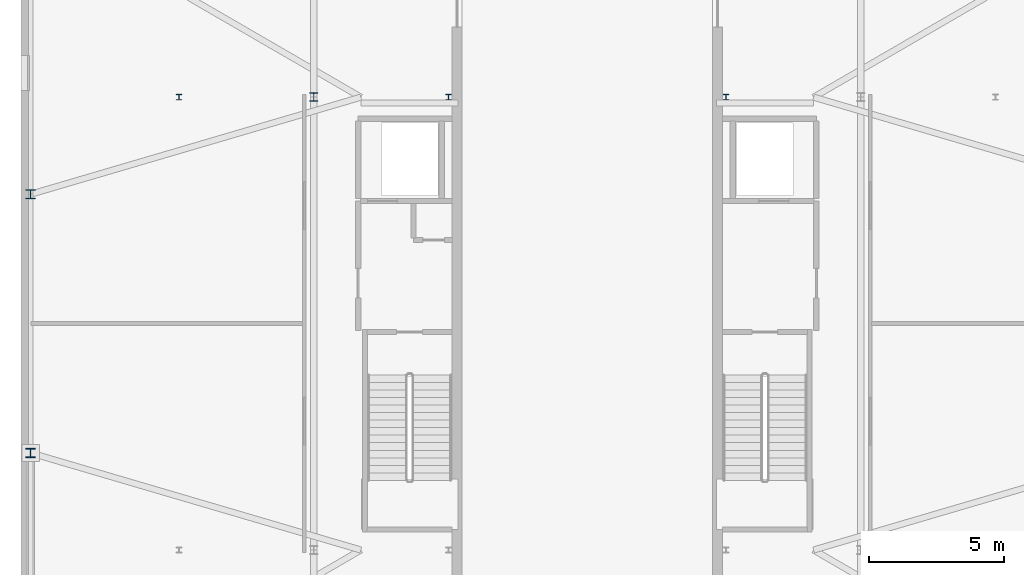
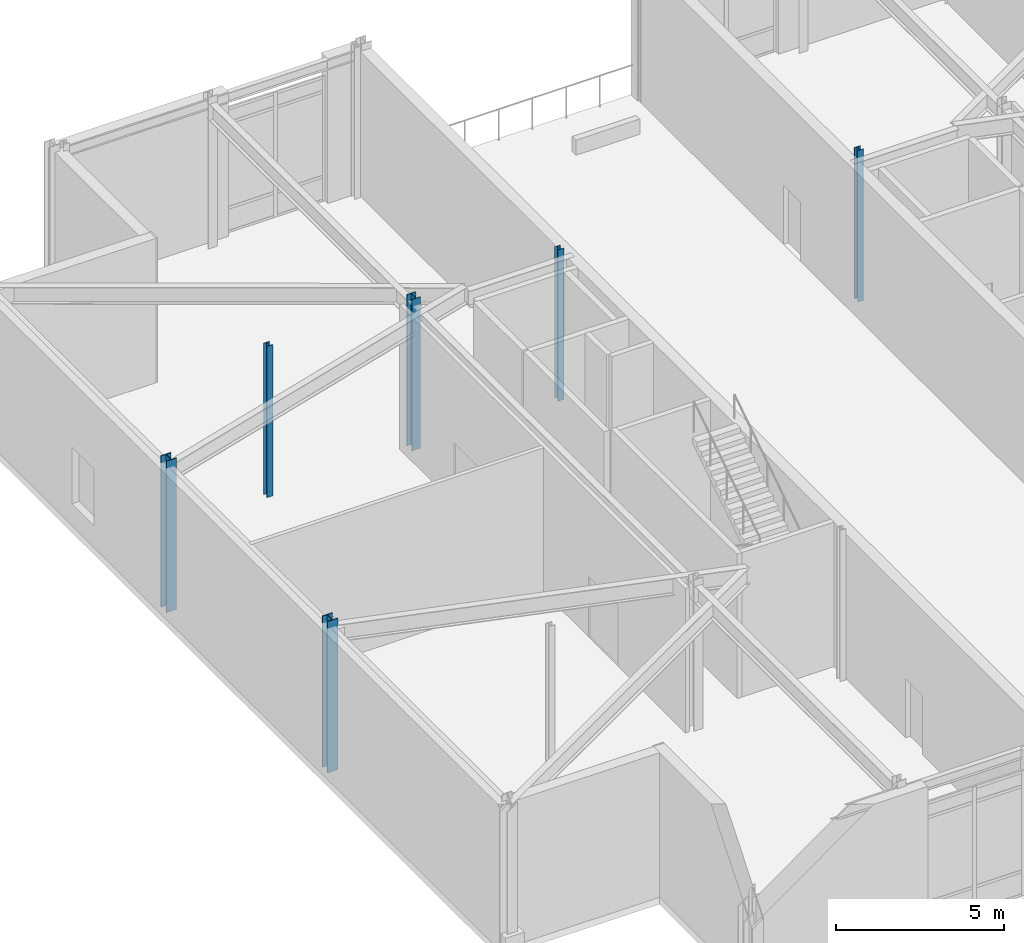
# One storey, part 3 of 16: 6 columns.
"""IFC4 building model written with IfcOpenShell, lengths in metres."""

from ifc_helpers import new_model, si_unit, direction, frame, origin, origin_2d, place, context, subcontext, project, spatial, i_section, extrude, material, material_profile, profile_set, type_object, element, save


model = new_model("IFC4")

# Units and contexts
model_context = context("Model", 3, precision=1e-05, world=origin(), true_north=direction((0.0, 1.0)))
body_context = subcontext(model_context, "Body", "Model", "MODEL_VIEW")
ifc_project = project(units=[si_unit("LENGTHUNIT", "METRE"), si_unit("AREAUNIT", "SQUARE_METRE"), si_unit("VOLUMEUNIT", "CUBIC_METRE"), si_unit("PLANEANGLEUNIT", "RADIAN"), si_unit("MASSUNIT", "GRAM", prefix="KILO")], contexts=[model_context])

# Site, building, storey
site_placement = place(None, origin())
site = spatial("IfcSite", under=ifc_project, at=site_placement, CompositionType="ELEMENT")
building_placement = place(site_placement, origin())
building = spatial("IfcBuilding", under=site, at=building_placement, Name="Cairnveth Concourse Tower", CompositionType="ELEMENT")
storey_placement = place(building_placement, frame((0.0, 0.0, 324.5)))
storey = spatial("IfcBuildingStorey", under=building, at=storey_placement, Name="L89", CompositionType="ELEMENT", Elevation=324.5)

# Columns
ifc_material = material(Name="Steel Grade 350", Category="steel")
ifc_material_profile_1 = material_profile(ifc_material, i_section(OverallWidth=0.202880859375, OverallDepth=0.202880859375, WebThickness=0.00927734375, FlangeThickness=0.01416015625, FilletRadius=0.010009765625, at=origin_2d()), Name="200UC59.5")
ifc_profile_set_1 = profile_set([ifc_material_profile_1], Name="Steel Grade 350")
column_type_1 = type_object("IfcColumnType", Name="PILASTER STEEL COLUMN 200UC59.5", PredefinedType="PILASTER", material=ifc_profile_set_1)
for number, where, z_axis, x_axis, name in (
    (1, (36.85009765625, 47.39990234375, 0.0), (0.0, 0.0, 1.0), (1.0, 0.0, 0.0), "Column CRL-W3 L89"),
    (2, (46.85009765625, 47.39990234375, 0.0), (0.0, 0.0, 1.0), (1.0, 0.0, 0.0), "Column CRR-W3 L89"),
    (3, (57.14990234375, 47.39990234375, 0.0), (0.0, 0.0, 1.0), (1.0, 0.0, 0.0), "Column CRL-E3 L89"),
):
    element("IfcColumn", number, at=place(storey_placement, frame(where, z_axis=z_axis, x_axis=x_axis)), inside=storey, type_object=column_type_1, Name=name, PredefinedType="PILASTER", context=body_context, shape_type="SweptSolid", body=[
        extrude(i_section(OverallWidth=0.202880859375, OverallDepth=0.202880859375, WebThickness=0.00927734375, FlangeThickness=0.01416015625, FilletRadius=0.010009765625, at=origin_2d()), origin(), (0.0, 0.0, 1.0), 5.5),
    ])
ifc_material_profile_2 = material_profile(ifc_material, i_section(OverallWidth=0.306884765625, OverallDepth=0.31494140625, WebThickness=0.011962890625, FlangeThickness=0.018798828125, FilletRadius=0.01611328125, at=origin_2d()), Name="310UC118")
ifc_profile_set_2 = profile_set([ifc_material_profile_2], Name="Steel Grade 350")
column_type_2 = type_object("IfcColumnType", Name="UNIVERSAL STEEL COLUMN 310UC118", PredefinedType="COLUMN", material=ifc_profile_set_2)
column_placement = place(storey_placement, frame((41.85009765625, 47.39990234375, 0.0), z_axis=(0.0, 0.0, 1.0), x_axis=(1.0, 0.0, 0.0)))
element("IfcColumn", 4, at=column_placement, inside=storey, type_object=column_type_2, Name="Column CRM-W3 L89", PredefinedType="COLUMN", context=body_context, shape_type="SweptSolid", body=[
    extrude(i_section(OverallWidth=0.306884765625, OverallDepth=0.31494140625, WebThickness=0.011962890625, FlangeThickness=0.018798828125, FilletRadius=0.01611328125, at=origin_2d()), origin(), (0.0, 0.0, 1.0), 5.5),
])
ifc_material_profile_3 = material_profile(ifc_material, i_section(OverallWidth=0.35009765625, OverallDepth=0.35009765625, WebThickness=0.02001953125, FlangeThickness=0.028076171875, at=origin_2d()), Name="350WC197")
ifc_profile_set_3 = profile_set([ifc_material_profile_3], Name="Steel Grade 350")
column_type_3 = type_object("IfcColumnType", Name="WELDED STEEL COLUMN 350WC197", PredefinedType="COLUMN", material=ifc_profile_set_3)
for number, where, z_axis, x_axis, name in (
    (5, (31.35009765625, 43.800048828125, 0.0), (0.0, 0.0, 1.0), (1.0, 0.0, 0.0), "Column CR-W2 L89"),
    (6, (31.35009765625, 34.199951171875, 0.0), (0.0, 0.0, 1.0), (1.0, 0.0, 0.0), "Column CR-W3 L89"),
):
    element("IfcColumn", number, at=place(storey_placement, frame(where, z_axis=z_axis, x_axis=x_axis)), inside=storey, type_object=column_type_3, Name=name, PredefinedType="COLUMN", context=body_context, shape_type="SweptSolid", body=[
        extrude(i_section(OverallWidth=0.35009765625, OverallDepth=0.35009765625, WebThickness=0.02001953125, FlangeThickness=0.028076171875, at=origin_2d()), origin(), (0.0, 0.0, 1.0), 5.5),
    ])

save(model, "model.ifc")
